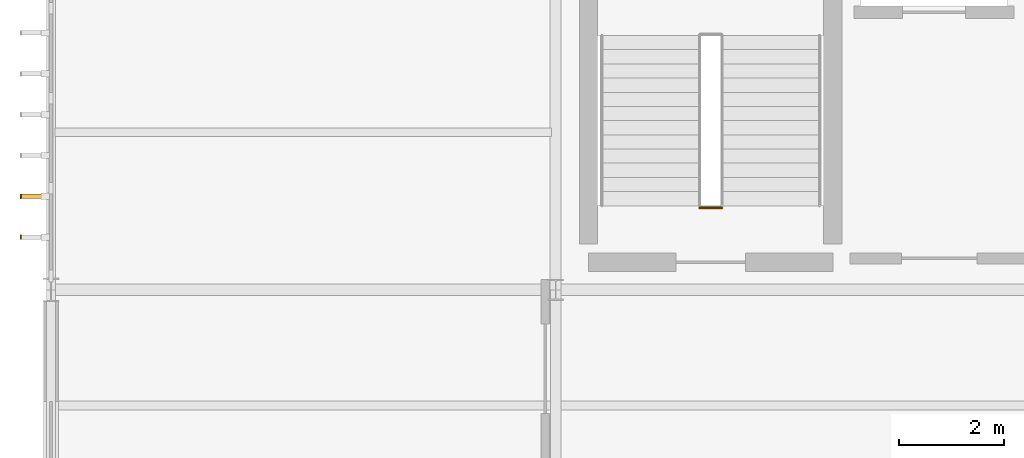
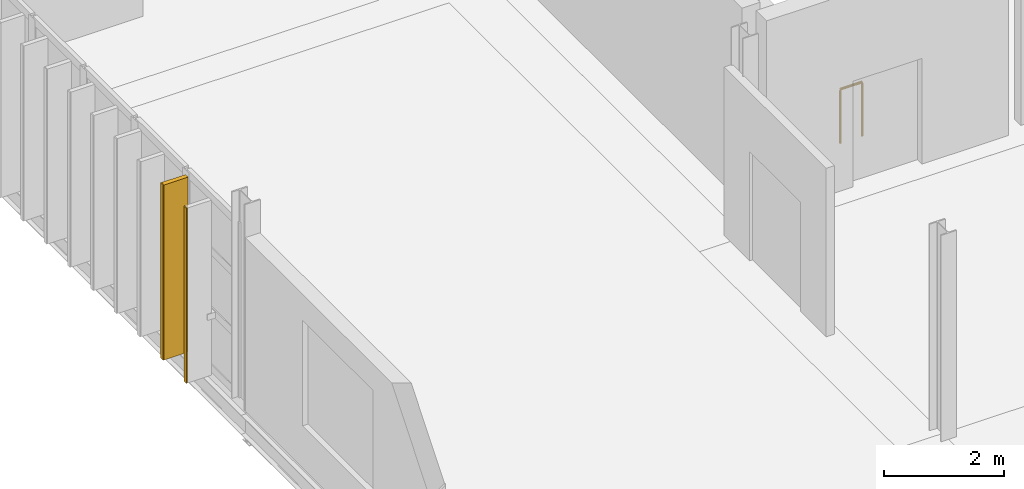
# One storey, part 27 of 38: 2 coverings, 1 railing, 1 shading device.
"""IFC4 building model written with IfcOpenShell, lengths in metres."""

from ifc_helpers import new_model, si_unit, direction, frame, origin, origin_2d, place, context, subcontext, project, spatial, rectangle, circle, extrude, material, layer, layer_set, type_object, element, save


model = new_model("IFC4")

# Units and contexts
model_context = context("Model", 3, precision=1e-05, world=origin(), true_north=direction((0.0, 1.0)))
body_context = subcontext(model_context, "Body", "Model", "MODEL_VIEW")
ifc_project = project(units=[si_unit("LENGTHUNIT", "METRE"), si_unit("AREAUNIT", "SQUARE_METRE"), si_unit("VOLUMEUNIT", "CUBIC_METRE"), si_unit("PLANEANGLEUNIT", "RADIAN"), si_unit("MASSUNIT", "GRAM", prefix="KILO")], contexts=[model_context])

# Site, building, storey
site_placement = place(None, origin())
site = spatial("IfcSite", under=ifc_project, at=site_placement, CompositionType="ELEMENT")
building_placement = place(site_placement, origin())
building = spatial("IfcBuilding", under=site, at=building_placement, Name="Zarnetskaya Central Station", CompositionType="ELEMENT")
storey_placement = place(building_placement, frame((0.0, 0.0, 18.60009765625)))
storey = spatial("IfcBuildingStorey", under=building, at=storey_placement, Name="L04", CompositionType="ELEMENT", Elevation=18.60009765625)

# Coverings
ifc_material_1 = material(Name="Treated larch timber", Category="wood")
ifc_layer = layer(ifc_material_1, 0.02001953125, Name="Treated larch timber", Category="wood")
ifc_layer_set = layer_set([ifc_layer], Name="Treated larch timber")
covering_type = type_object("IfcCoveringType", Name="COV-LARCH-CAP", PredefinedType="CLADDING", material=ifc_layer_set)
for number, where, z_axis, x_axis, name in (
    (1, (-0.580078125, 14.202392578125, -0.000244140625), (0.0, 0.0, 1.0), (0.0, 1.0, 0.0), "Larch fin weather cap CW-L04-048-01"),
    (2, (-0.580078125, 14.9794921875, -0.000244140625), (0.0, 0.0, 1.0), (0.0, 1.0, 0.0), "Larch fin weather cap CW-L04-048-02"),
):
    element("IfcCovering", number, at=place(storey_placement, frame(where, z_axis=z_axis, x_axis=x_axis)), inside=storey, type_object=covering_type, Name=name, PredefinedType="CLADDING", context=body_context, shape_type="SweptSolid", body=[
        extrude(rectangle(XDim=0.0849609375, YDim=0.02001953125, at=origin_2d()), origin(), (0.0, 0.0, 1.0), 3.56005859375),
    ])

# Railing
ifc_material_2 = material(Name="Steel S355", Category="steel")
railing_type = type_object("IfcRailingType", Name="RAIL-STAIR-GRD", PredefinedType="BALUSTRADE", material=ifc_material_2)
railing_placement = place(storey_placement, frame((12.340087890625, 14.760009765625, 0.0)))
element("IfcRailing", 3, at=railing_placement, inside=storey, type_object=railing_type, Name="Stair ST-C1 L04 floor well guard", PredefinedType="BALUSTRADE", context=body_context, shape_type="SweptSolid", body=[
    extrude(circle(Radius=0.02392578125, at=origin_2d()), frame((0.0, 0.0, 1.09619140625), z_axis=(1.0, 0.0, 0.0), x_axis=(0.0, 1.0, 0.0)), (0.0, 0.0, 1.0), 0.419921875),
    extrude(circle(Radius=0.02099609375, at=origin_2d()), origin(), (0.0, 0.0, 1.0), 1.072021484375),
    extrude(circle(Radius=0.02099609375, at=origin_2d()), frame((0.419921875, 0.0, 0.0)), (0.0, 0.0, 1.0), 1.072021484375),
])

# Shading device
ifc_material_3 = material(Name="Larch glulam GL28h", Category="wood")
shading_device_type = type_object("IfcShadingDeviceType", Name="SHD-LARCH-FIN-B", PredefinedType="USERDEFINED", material=ifc_material_3)
shading_device_placement = place(storey_placement, frame((-0.340087890625, 14.9794921875, -0.000244140625), z_axis=(0.0, 0.0, 1.0), x_axis=(0.0, 1.0, 0.0)))
element("IfcShadingDevice", 4, at=shading_device_placement, inside=storey, type_object=shading_device_type, Name="Vertical larch timber fin CW-L04-048-02", ObjectType="TIMBER FIN", PredefinedType="USERDEFINED", context=body_context, shape_type="SweptSolid", body=[
    extrude(rectangle(XDim=0.0849609375, YDim=0.4599609375, at=origin_2d()), origin(), (0.0, 0.0, 1.0), 3.56005859375),
])

save(model, "model.ifc")
